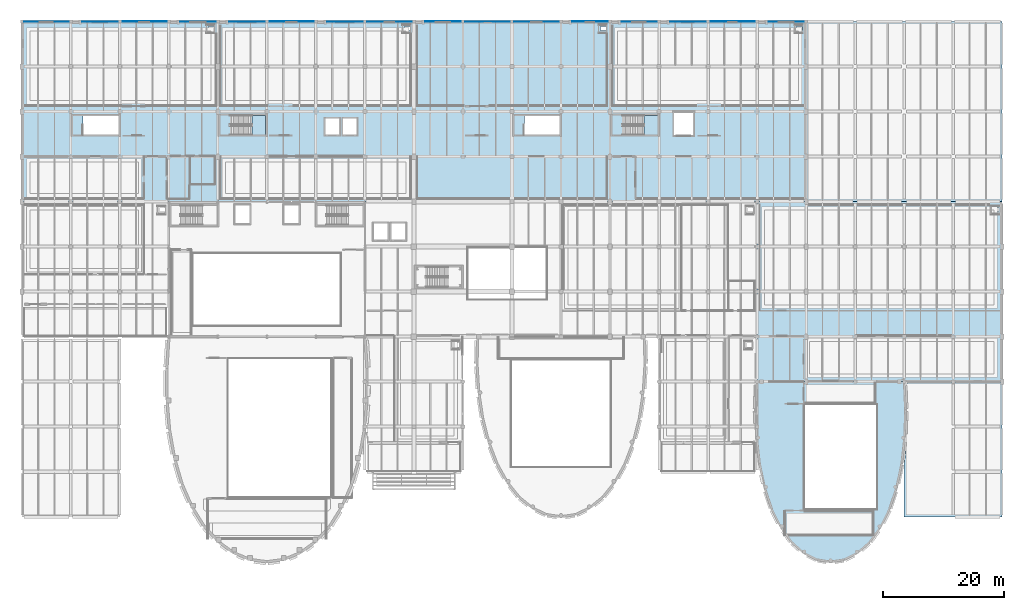
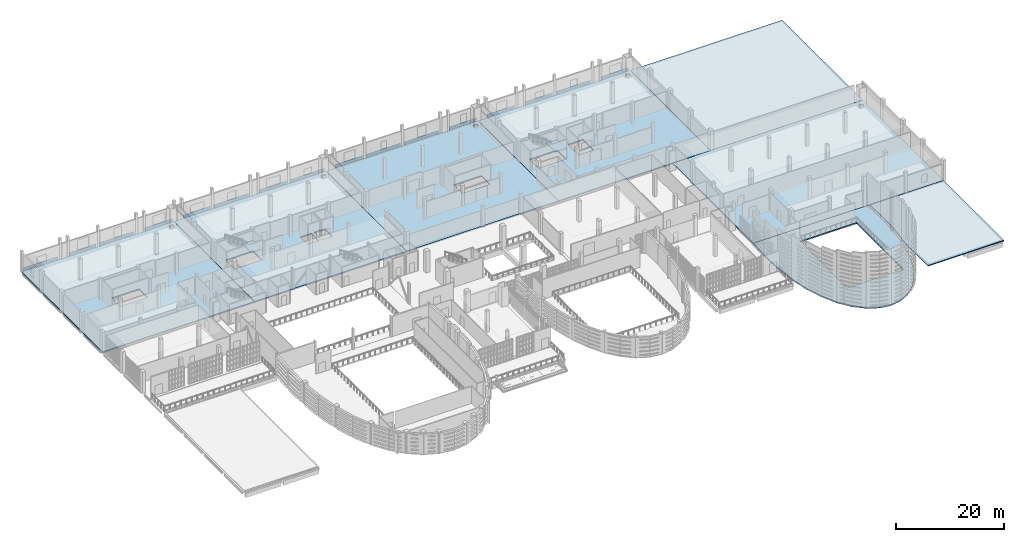
# One storey, part 79 of 104: 16 plates, 10 slabs, 2 elements without a shape of their own.
"""IFC4 building model written with IfcOpenShell, lengths in metres."""

from ifc_helpers import new_model, si_unit, direction, frame, origin, origin_2d, place, context, subcontext, project, spatial, polyline, rectangle, outline, extrude, material, layer, layer_set, type_object, element, aggregate, save


model = new_model("IFC4")

# Units and contexts
model_context = context("Model", 3, precision=1e-05, world=origin(), true_north=direction((0.0, 1.0)))
body_context = subcontext(model_context, "Body", "Model", "MODEL_VIEW")
ifc_project = project(units=[si_unit("LENGTHUNIT", "METRE"), si_unit("AREAUNIT", "SQUARE_METRE"), si_unit("VOLUMEUNIT", "CUBIC_METRE"), si_unit("PLANEANGLEUNIT", "RADIAN"), si_unit("MASSUNIT", "GRAM", prefix="KILO")], contexts=[model_context])

# Site, building, storey
site_placement = place(None, origin())
site = spatial("IfcSite", under=ifc_project, at=site_placement, CompositionType="ELEMENT")
building_placement = place(site_placement, origin())
building = spatial("IfcBuilding", under=site, at=building_placement, Name="Kaelora Sail Theatre", CompositionType="ELEMENT")
storey_placement = place(building_placement, frame((0.0, 0.0, 5.39990234375)))
storey = spatial("IfcBuildingStorey", under=building, at=storey_placement, Name="L01", CompositionType="ELEMENT", Elevation=5.39990234375)

# Plates
ifc_material_1 = material(Name="Anodised perforated aluminium acoustic screen", Category="aluminium")
ifc_layer_1 = layer(ifc_material_1, 0.01611328125)
ifc_layer_set_1 = layer_set([ifc_layer_1], Name="Anodised perforated aluminium acoustic screen")
plate_type_1 = type_object("IfcPlateType", Name="ARC-PL-CLD-PRF-16", PredefinedType="USERDEFINED", material=ifc_layer_set_1)
for number, where, z_axis, x_axis, name in (
    (1, (14.41259765625, 113.076416015625, 0.06005859375), (0.0, 0.0, 1.0), (1.0, 0.0, 0.0), "Postmodern Facade Entablature Spandrel L01 B02"),
    (2, (38.71240234375, 113.076416015625, 0.06005859375), (0.0, 0.0, 1.0), (1.0, 0.0, 0.0), "Postmodern Facade Entablature Spandrel L01 B05"),
):
    element("IfcPlate", number, at=place(storey_placement, frame(where, z_axis=z_axis, x_axis=x_axis)), inside=storey, type_object=plate_type_1, Name=name, ObjectType="ACOUSTIC SCREEN", PredefinedType="USERDEFINED", context=body_context, shape_type="SweptSolid", body=[
        extrude(rectangle(XDim=5.824951171875, YDim=0.01611328125, at=origin_2d()), origin(), (0.0, 0.0, 1.0), 0.719970703125),
    ])
for number, where, z_axis, x_axis, name in (
    (3, (62.25, 113.076416015625, 0.06005859375), (0.0, 0.0, 1.0), (1.0, 0.0, 0.0), "Postmodern Facade Entablature Spandrel L01 B08"),
    (4, (86.550048828125, 113.076416015625, 0.06005859375), (0.0, 0.0, 1.0), (1.0, 0.0, 0.0), "Postmodern Facade Entablature Spandrel L01 B11"),
):
    element("IfcPlate", number, at=place(storey_placement, frame(where, z_axis=z_axis, x_axis=x_axis)), inside=storey, type_object=plate_type_1, Name=name, ObjectType="ACOUSTIC SCREEN", PredefinedType="USERDEFINED", context=body_context, shape_type="SweptSolid", body=[
        extrude(rectangle(XDim=7.35009765625, YDim=0.01611328125, at=origin_2d()), origin(), (0.0, 0.0, 1.0), 0.719970703125),
    ])
plate_1_placement = place(storey_placement, frame((111.60009765625, 113.076416015625, 0.06005859375), z_axis=(0.0, 0.0, 1.0), x_axis=(1.0, 0.0, 0.0)))
element("IfcPlate", 5, at=plate_1_placement, inside=storey, type_object=plate_type_1, Name="Postmodern Facade Entablature Spandrel L01 B14", ObjectType="ACOUSTIC SCREEN", PredefinedType="USERDEFINED", context=body_context, shape_type="SweptSolid", body=[
    extrude(rectangle(XDim=5.85009765625, YDim=0.01611328125, at=origin_2d()), origin(), (0.0, 0.0, 1.0), 0.719970703125),
])
ifc_material_2 = material(Name="Architectural glazed terracotta ceramic panel", Category="masonry")
ifc_layer_2 = layer(ifc_material_2, 0.0400390625)
ifc_layer_set_2 = layer_set([ifc_layer_2], Name="Architectural glazed terracotta ceramic panel")
plate_type_2 = type_object("IfcPlateType", Name="ARC-PL-CLD-TER-40", PredefinedType="SHEET", material=ifc_layer_set_2)
for number, where, z_axis, x_axis, name in (
    (6, (21.75, 113.0859375, 0.06005859375), (0.0, 0.0, 1.0), (1.0, 0.0, 0.0), "Postmodern Facade Entablature Spandrel L01 B03"),
    (7, (46.050048828125, 113.0859375, 0.06005859375), (0.0, 0.0, 1.0), (1.0, 0.0, 0.0), "Postmodern Facade Entablature Spandrel L01 B06"),
):
    element("IfcPlate", number, at=place(storey_placement, frame(where, z_axis=z_axis, x_axis=x_axis)), inside=storey, type_object=plate_type_2, Name=name, PredefinedType="SHEET", context=body_context, shape_type="SweptSolid", body=[
        extrude(rectangle(XDim=7.35009765625, YDim=0.0400390625, at=origin_2d()), origin(), (0.0, 0.0, 1.0), 0.719970703125),
    ])
plate_2_placement = place(storey_placement, frame((71.112548828125, 113.0859375, 0.06005859375), z_axis=(0.0, 0.0, 1.0), x_axis=(1.0, 0.0, 0.0)))
element("IfcPlate", 8, at=plate_2_placement, inside=storey, type_object=plate_type_2, Name="Postmodern Facade Entablature Spandrel L01 B09", PredefinedType="SHEET", context=body_context, shape_type="SweptSolid", body=[
    extrude(rectangle(XDim=5.824951171875, YDim=0.0400390625, at=origin_2d()), origin(), (0.0, 0.0, 1.0), 0.719970703125),
])
plate_3_placement = place(storey_placement, frame((95.39990234375, 113.0859375, 0.06005859375), z_axis=(0.0, 0.0, 1.0), x_axis=(1.0, 0.0, 0.0)))
element("IfcPlate", 9, at=plate_3_placement, inside=storey, type_object=plate_type_2, Name="Postmodern Facade Entablature Spandrel L01 B12", PredefinedType="SHEET", context=body_context, shape_type="SweptSolid", body=[
    extrude(rectangle(XDim=5.85009765625, YDim=0.0400390625, at=origin_2d()), origin(), (0.0, 0.0, 1.0), 0.719970703125),
])
plate_4_placement = place(storey_placement, frame((118.949951171875, 113.0859375, 0.06005859375), z_axis=(0.0, 0.0, 1.0), x_axis=(1.0, 0.0, 0.0)))
element("IfcPlate", 10, at=plate_4_placement, inside=storey, type_object=plate_type_2, Name="Postmodern Facade Entablature Spandrel L01 B15", PredefinedType="SHEET", context=body_context, shape_type="SweptSolid", body=[
    extrude(rectangle(XDim=7.35009765625, YDim=0.0400390625, at=origin_2d()), origin(), (0.0, 0.0, 1.0), 0.719970703125),
])
ifc_material_3 = material(Name="Titanium-zinc acoustic standing-seam cassette", Category="metal")
ifc_layer_3 = layer(ifc_material_3, 0.028076171875)
ifc_layer_set_3 = layer_set([ifc_layer_3], Name="Titanium-zinc acoustic standing-seam cassette")
plate_type_3 = type_object("IfcPlateType", Name="ARC-PL-CLD-ZNC-28", PredefinedType="SHEET", material=ifc_layer_set_3)
plate_5_placement = place(storey_placement, frame((5.550048828125, 113.081298828125, 0.06005859375), z_axis=(0.0, 0.0, 1.0), x_axis=(1.0, 0.0, 0.0)))
element("IfcPlate", 11, at=plate_5_placement, inside=storey, type_object=plate_type_3, Name="Postmodern Facade Entablature Spandrel L01 B01", PredefinedType="SHEET", context=body_context, shape_type="SweptSolid", body=[
    extrude(rectangle(XDim=7.35009765625, YDim=0.028076171875, at=origin_2d()), origin(), (0.0, 0.0, 1.0), 0.719970703125),
])
for number, where, z_axis, x_axis, name in (
    (12, (30.60009765625, 113.081298828125, 0.06005859375), (0.0, 0.0, 1.0), (1.0, 0.0, 0.0), "Postmodern Facade Entablature Spandrel L01 B04"),
    (13, (54.89990234375, 113.081298828125, 0.06005859375), (0.0, 0.0, 1.0), (1.0, 0.0, 0.0), "Postmodern Facade Entablature Spandrel L01 B07"),
):
    element("IfcPlate", number, at=place(storey_placement, frame(where, z_axis=z_axis, x_axis=x_axis)), inside=storey, type_object=plate_type_3, Name=name, PredefinedType="SHEET", context=body_context, shape_type="SweptSolid", body=[
        extrude(rectangle(XDim=5.85009765625, YDim=0.028076171875, at=origin_2d()), origin(), (0.0, 0.0, 1.0), 0.719970703125),
    ])
plate_6_placement = place(storey_placement, frame((78.449951171875, 113.081298828125, 0.06005859375), z_axis=(0.0, 0.0, 1.0), x_axis=(1.0, 0.0, 0.0)))
element("IfcPlate", 14, at=plate_6_placement, inside=storey, type_object=plate_type_3, Name="Postmodern Facade Entablature Spandrel L01 B10", PredefinedType="SHEET", context=body_context, shape_type="SweptSolid", body=[
    extrude(rectangle(XDim=7.35009765625, YDim=0.028076171875, at=origin_2d()), origin(), (0.0, 0.0, 1.0), 0.719970703125),
])
for number, where, z_axis, x_axis, name in (
    (15, (103.512451171875, 113.081298828125, 0.06005859375), (0.0, 0.0, 1.0), (1.0, 0.0, 0.0), "Postmodern Facade Entablature Spandrel L01 B13"),
    (16, (127.8125, 113.081298828125, 0.06005859375), (0.0, 0.0, 1.0), (1.0, 0.0, 0.0), "Postmodern Facade Entablature Spandrel L01 B16"),
):
    element("IfcPlate", number, at=place(storey_placement, frame(where, z_axis=z_axis, x_axis=x_axis)), inside=storey, type_object=plate_type_3, Name=name, PredefinedType="SHEET", context=body_context, shape_type="SweptSolid", body=[
        extrude(rectangle(XDim=5.824951171875, YDim=0.028076171875, at=origin_2d()), origin(), (0.0, 0.0, 1.0), 0.719970703125),
    ])

# Stair, slab
ifc_material_4 = material(Name="Concrete C40/50", Category="concrete")
stair_type = type_object("IfcStairType", Name="ARC-ST-ESC150", PredefinedType="HALF_TURN_STAIR", material=ifc_material_4)
stair_1_placement = place(storey_placement, origin())
stair_1 = element("IfcStair", 17, at=stair_1_placement, inside=storey, type_object=stair_type, Name="L01 ST-K2", PredefinedType="HALF_TURN_STAIR")
ifc_material_5 = material(Name="Concrete C40/50", Category="concrete")
ifc_layer_4 = layer(ifc_material_5, 0.219970703125)
ifc_layer_set_4 = layer_set([ifc_layer_4], Name="Concrete C40/50")
slab_type_1 = type_object("IfcSlabType", Name="ARC-SLB-LND220", PredefinedType="LANDING", material=ifc_layer_set_4)
slab_1_placement = place(storey_placement, frame((0.0, 0.0, 2.2001953125)))
slab_1 = element("IfcSlab", 18, at=slab_1_placement, type_object=slab_type_1, Name="ST-K2 landing 1", PredefinedType="LANDING", context=body_context, shape_type="SweptSolid", body=[
    extrude(outline(polyline([(39.5400390625, 94.35009765625), (41.800048828125, 94.35009765625), (41.800048828125, 97.60009765625), (39.5400390625, 97.60009765625), (39.5400390625, 94.35009765625)])), origin(), (0.0, 0.0, 1.0), 0.199951171875),
])
aggregate(stair_1, [slab_1])

stair_2_placement = place(storey_placement, origin())
stair_2 = element("IfcStair", 19, at=stair_2_placement, inside=storey, type_object=stair_type, Name="L01 ST-K4", PredefinedType="HALF_TURN_STAIR")
slab_2_placement = place(storey_placement, frame((0.0, 0.0, 2.2001953125)))
slab_2 = element("IfcSlab", 20, at=slab_2_placement, type_object=slab_type_1, Name="ST-K4 landing 1", PredefinedType="LANDING", context=body_context, shape_type="SweptSolid", body=[
    extrude(outline(polyline([(104.340087890625, 94.35009765625), (106.60009765625, 94.35009765625), (106.60009765625, 97.60009765625), (104.340087890625, 97.60009765625), (104.340087890625, 94.35009765625)])), origin(), (0.0, 0.0, 1.0), 0.199951171875),
])
aggregate(stair_2, [slab_2])

# Slabs
ifc_material_6 = material(Name="Concrete C40/50", Category="concrete")
ifc_layer_5 = layer(ifc_material_6, 0.280029296875)
ifc_layer_set_5 = layer_set([ifc_layer_5], Name="Concrete C40/50")
slab_type_2 = type_object("IfcSlabType", Name="STR-SLB-SL-FL280", PredefinedType="FLOOR", material=ifc_layer_set_5)
slab_3_placement = place(storey_placement, frame((0.0, 0.0, -0.27978515625)))
element("IfcSlab", 21, at=slab_3_placement, inside=storey, type_object=slab_type_2, Name="Black-Box Theatre floor slab (L01)", PredefinedType="FLOOR", context=body_context, shape_type="SweptSolid", body=[
    extrude(outline(polyline([(147.300048828125, 53.580078125), (147.498046875, 48.924560546875), (147.36669921875, 44.3837890625), (146.885986328125, 40.069091796875), (146.049560546875, 36.08740234375), (144.8662109375, 32.53662109375), (143.361572265625, 29.503662109375), (141.576171875, 27.063720703125), (139.56591796875, 25.276611328125), (137.398193359375, 24.186279296875), (135.14990234375, 23.820068359375), (132.901611328125, 24.186279296875), (130.734130859375, 25.276611328125), (128.723876953125, 27.063720703125), (126.9384765625, 29.503662109375), (125.43359375, 32.53662109375), (124.25048828125, 36.08740234375), (123.4140625, 40.069091796875), (122.933349609375, 44.3837890625), (122.802001953125, 48.924560546875), (123.0, 53.580078125), (147.300048828125, 53.580078125)]), holes=[polyline([(130.800048828125, 32.5), (142.800048828125, 32.5), (142.800048828125, 49.800048828125), (130.800048828125, 49.800048828125), (130.800048828125, 32.5)])]), origin(), (0.0, 0.0, 1.0), 0.27978515625),
])
slab_4_placement = place(storey_placement, frame((0.0, 0.0, -0.27978515625)))
element("IfcSlab", 22, at=slab_4_placement, inside=storey, type_object=slab_type_2, Name="North Wing floor slab NW1 (L01)", PredefinedType="FLOOR", context=body_context, shape_type="SweptSolid", body=[
    extrude(outline(polyline([(1.5, 83.35498046875), (1.5, 113.10009765625), (33.885009765625, 113.10009765625), (33.885009765625, 83.35498046875), (1.5, 83.35498046875)]), holes=[polyline([(11.64501953125, 94.35009765625), (17.5, 94.35009765625), (17.5, 97.5), (11.64501953125, 97.5), (11.64501953125, 94.35009765625)]), polyline([(32.3349609375, 111.64990234375), (33.235107421875, 111.64990234375), (33.235107421875, 112.300048828125), (32.3349609375, 112.300048828125), (32.3349609375, 111.64990234375)])]), origin(), (0.0, 0.0, 1.0), 0.27978515625),
])
slab_5_placement = place(storey_placement, frame((0.0, 0.0, -0.27978515625)))
element("IfcSlab", 23, at=slab_5_placement, inside=storey, type_object=slab_type_2, Name="North Wing floor slab NW2 (L01)", PredefinedType="FLOOR", context=body_context, shape_type="SweptSolid", body=[
    extrude(outline(polyline([(33.9150390625, 83.35498046875), (33.9150390625, 113.10009765625), (66.284912109375, 113.10009765625), (66.284912109375, 83.35498046875), (33.9150390625, 83.35498046875)]), holes=[polyline([(35.945068359375, 94.35009765625), (41.800048828125, 94.35009765625), (41.800048828125, 97.60009765625), (35.945068359375, 97.60009765625), (35.945068359375, 94.35009765625)]), polyline([(51.64990234375, 94.39990234375), (53.949951171875, 94.39990234375), (53.949951171875, 97.10009765625), (51.64990234375, 97.10009765625), (51.64990234375, 94.39990234375)]), polyline([(54.550048828125, 94.39990234375), (56.85009765625, 94.39990234375), (56.85009765625, 97.10009765625), (54.550048828125, 97.10009765625), (54.550048828125, 94.39990234375)]), polyline([(64.735107421875, 111.64990234375), (65.635009765625, 111.64990234375), (65.635009765625, 112.300048828125), (64.735107421875, 112.300048828125), (64.735107421875, 111.64990234375)])]), origin(), (0.0, 0.0, 1.0), 0.27978515625),
])
slab_6_placement = place(storey_placement, frame((0.0, 0.0, -0.27978515625)))
element("IfcSlab", 24, at=slab_6_placement, inside=storey, type_object=slab_type_2, Name="North Wing floor slab NW3 (L01)", PredefinedType="FLOOR", context=body_context, shape_type="SweptSolid", body=[
    extrude(outline(polyline([(66.31494140625, 83.35498046875), (66.31494140625, 113.10009765625), (98.68505859375, 113.10009765625), (98.68505859375, 83.35498046875), (66.31494140625, 83.35498046875)]), holes=[polyline([(84.544921875, 94.35009765625), (90.39990234375, 94.35009765625), (90.39990234375, 97.5), (84.544921875, 97.5), (84.544921875, 94.35009765625)]), polyline([(97.135009765625, 111.64990234375), (98.034912109375, 111.64990234375), (98.034912109375, 112.300048828125), (97.135009765625, 112.300048828125), (97.135009765625, 111.64990234375)])]), origin(), (0.0, 0.0, 1.0), 0.27978515625),
])
slab_7_placement = place(storey_placement, frame((0.0, 0.0, -0.27978515625)))
element("IfcSlab", 25, at=slab_7_placement, inside=storey, type_object=slab_type_2, Name="North Wing floor slab NW4 (L01)", PredefinedType="FLOOR", context=body_context, shape_type="SweptSolid", body=[
    extrude(outline(polyline([(98.715087890625, 83.35498046875), (98.715087890625, 113.10009765625), (131.0849609375, 113.10009765625), (131.0849609375, 83.35498046875), (98.715087890625, 83.35498046875)]), holes=[polyline([(100.7451171875, 94.35009765625), (106.60009765625, 94.35009765625), (106.60009765625, 97.60009765625), (100.7451171875, 97.60009765625), (100.7451171875, 94.35009765625)]), polyline([(109.25, 94.300048828125), (112.449951171875, 94.300048828125), (112.449951171875, 98.199951171875), (109.25, 98.199951171875), (109.25, 94.300048828125)]), polyline([(129.534912109375, 111.64990234375), (130.43505859375, 111.64990234375), (130.43505859375, 112.300048828125), (129.534912109375, 112.300048828125), (129.534912109375, 111.64990234375)])]), origin(), (0.0, 0.0, 1.0), 0.27978515625),
])
ifc_material_7 = material(Name="Concrete C40/50", Category="concrete")
ifc_layer_6 = layer(ifc_material_7, 0.300048828125)
ifc_layer_set_6 = layer_set([ifc_layer_6], Name="Concrete C40/50")
slab_type_3 = type_object("IfcSlabType", Name="STR-SLB-SL-FL300", PredefinedType="FLOOR", material=ifc_layer_set_6)
slab_8_placement = place(storey_placement, frame((0.0, 0.0, -0.2998046875)))
element("IfcSlab", 26, at=slab_8_placement, inside=storey, type_object=slab_type_3, Name="Glazed Foyer floor slab FE1 (L01)", PredefinedType="FLOOR", context=body_context, shape_type="SweptSolid", body=[
    extrude(outline(polyline([(123.014892578125, 53.594970703125), (163.5, 53.594970703125), (163.5, 83.324951171875), (123.014892578125, 83.324951171875), (123.014892578125, 53.594970703125)]), holes=[polyline([(161.949951171875, 81.675048828125), (162.85009765625, 81.675048828125), (162.85009765625, 82.324951171875), (161.949951171875, 82.324951171875), (161.949951171875, 81.675048828125)])]), origin(), (0.0, 0.0, 1.0), 0.2998046875),
])
ifc_material_8 = material(Name="Concrete C40/50", Category="concrete")
ifc_layer_7 = layer(ifc_material_8, 0.195068359375)
ifc_layer_set_7 = layer_set([ifc_layer_7], Name="Concrete C40/50")
slab_type_4 = type_object("IfcSlabType", Name="STR-SLB-SL-RF195", PredefinedType="ROOF", material=ifc_layer_set_7)
slab_9_placement = place(storey_placement, frame((0.0, 0.0, -0.19482421875)))
element("IfcSlab", 27, at=slab_9_placement, inside=storey, type_object=slab_type_4, Name="Flat wing roof slab RF-COL-EAST", PredefinedType="ROOF", context=body_context, shape_type="SweptSolid", body=[
    extrude(outline(polyline([(163.5, 53.550048828125), (163.5, 31.260009765625), (147.300048828125, 31.260009765625), (147.300048828125, 40.001953125), (147.786376953125, 44.37158203125), (147.91796875, 48.912353515625), (147.7216796875, 53.550048828125), (163.5, 53.550048828125)])), origin(), (0.0, 0.0, 1.0), 0.19482421875),
])
ifc_material_9 = material(Name="Concrete C40/50", Category="concrete")
ifc_layer_8 = layer(ifc_material_9, 0.235107421875)
ifc_layer_set_8 = layer_set([ifc_layer_8], Name="Concrete C40/50")
slab_type_5 = type_object("IfcSlabType", Name="STR-SLB-SL-RF235", PredefinedType="ROOF", material=ifc_layer_set_8)
slab_10_placement = place(storey_placement, frame((0.0, 0.0, -0.23486328125)))
element("IfcSlab", 28, at=slab_10_placement, inside=storey, type_object=slab_type_5, Name="Flat wing roof slab RF-NW5-TOP", PredefinedType="ROOF", context=body_context, shape_type="SweptSolid", body=[
    extrude(outline(polyline([(131.1298828125, 113.10009765625), (163.5, 113.10009765625), (163.5, 83.360107421875), (131.1298828125, 83.360107421875), (131.1298828125, 113.10009765625)])), origin(), (0.0, 0.0, 1.0), 0.23486328125),
])

save(model, "model.ifc")
